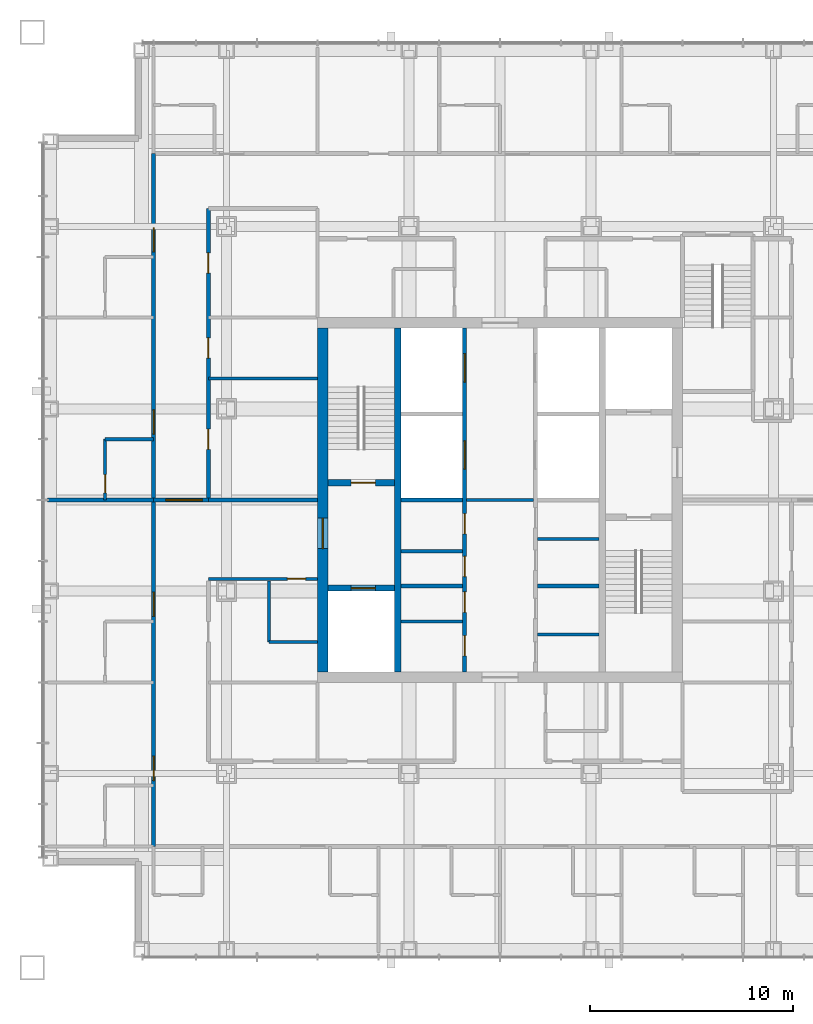
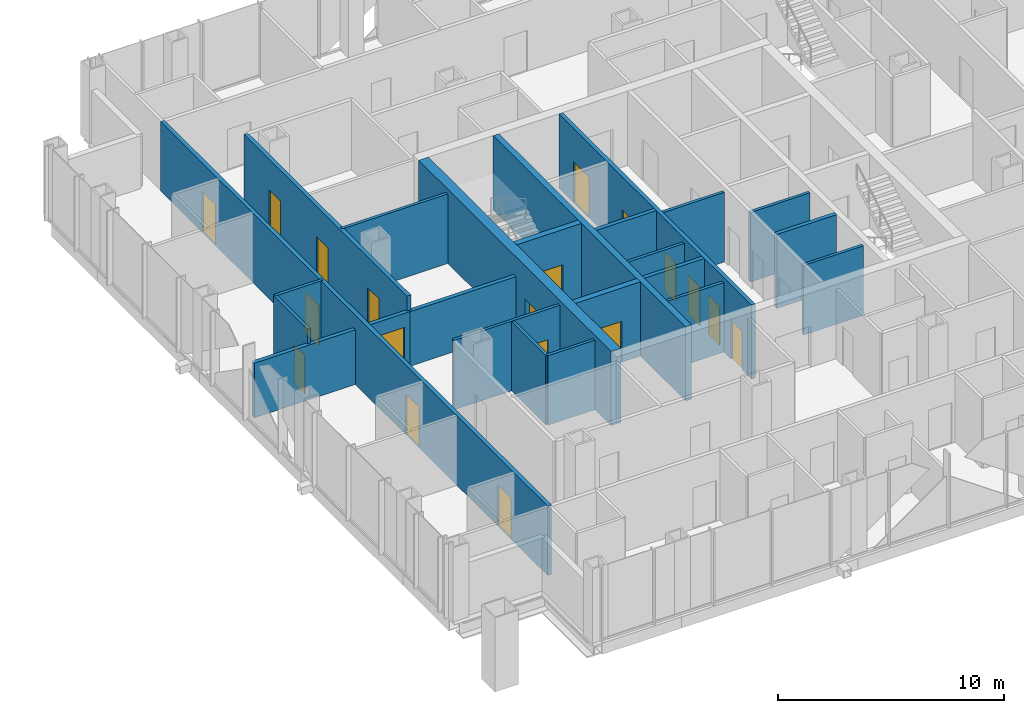
# One storey, part 13 of 17: 24 walls, 19 doors, 19 openings.
"""IFC4 building model written with IfcOpenShell, lengths in metres."""

from ifc_helpers import new_model, si_unit, direction, frame, frame_2d, origin, place, context, subcontext, project, spatial, rectangle, extrude, material, layer, layer_set, type_object, element, fill, save


model = new_model("IFC4")

# Units and contexts
model_context = context("Model", 3, precision=1e-05, world=origin(), true_north=direction((0.0, 1.0)))
body_context = subcontext(model_context, "Body", "Model", "MODEL_VIEW")
ifc_project = project(units=[si_unit("LENGTHUNIT", "METRE"), si_unit("AREAUNIT", "SQUARE_METRE"), si_unit("VOLUMEUNIT", "CUBIC_METRE"), si_unit("PLANEANGLEUNIT", "RADIAN"), si_unit("MASSUNIT", "GRAM", prefix="KILO")], contexts=[model_context])

# Site, building, storey
site_placement = place(None, origin())
site = spatial("IfcSite", under=ifc_project, at=site_placement, CompositionType="ELEMENT")
building_placement = place(site_placement, origin())
building = spatial("IfcBuilding", under=site, at=building_placement, Name="Malebo Sky Hospital", CompositionType="ELEMENT")
storey_placement = place(building_placement, frame((0.0, 0.0, 189.0)))
storey = spatial("IfcBuildingStorey", under=building, at=storey_placement, Name="L45", CompositionType="ELEMENT", Elevation=189.0)

# Wall, openings, doors
ifc_material_1 = material(Name="Concrete C80/95", Category="concrete")
ifc_layer_1 = layer(ifc_material_1, 0.199951171875)
ifc_layer_set_1 = layer_set([ifc_layer_1], Name="CORE INNER WALL 200")
wall_type_1 = type_object("IfcWallType", Name="CORE INNER WALL 200", PredefinedType="SHEAR", material=ifc_layer_set_1)
wall_1_placement = place(storey_placement, frame((58.25, 53.5, 0.0), z_axis=(0.0, 0.0, 1.0), x_axis=(0.0, 1.0, 0.0)))
wall_1 = element("IfcWall", 1, at=wall_1_placement, inside=storey, type_object=wall_type_1, Name="Core wall LW L45", PredefinedType="SHEAR", context=body_context, shape_type="SweptSolid", body=[
    extrude(rectangle(XDim=17.0, YDim=0.199951171875, at=frame_2d((8.5, 0.0))), origin(), (0.0, 0.0, 1.0), 4.0),
])
opening_1_placement = place(wall_1_placement, frame((0.8076171875, 0.0, 0.0)))
opening_1 = element("IfcOpeningElement", 2, at=opening_1_placement, cuts=wall_1, Name="Opening D17", PredefinedType="OPENING", context=body_context, shape_type="SweptSolid", body=[
    extrude(rectangle(XDim=1.0, YDim=2.10009765625, at=frame_2d((0.5, 1.050048828125))), frame((0.0, 0.10986328125, 0.0), z_axis=(0.0, -1.0, 0.0), x_axis=(1.0, 0.0, 0.0)), (0.0, 0.0, 1.0), 0.219970703125),
])
opening_2_placement = place(wall_1_placement, frame((2.95751953125, 0.0, 0.0)))
opening_2 = element("IfcOpeningElement", 3, at=opening_2_placement, cuts=wall_1, Name="Opening D17", PredefinedType="OPENING", context=body_context, shape_type="SweptSolid", body=[
    extrude(rectangle(XDim=1.0, YDim=2.10009765625, at=frame_2d((0.5, 1.050048828125))), frame((0.0, 0.10986328125, 0.0), z_axis=(0.0, -1.0, 0.0), x_axis=(1.0, 0.0, 0.0)), (0.0, 0.0, 1.0), 0.219970703125),
])
opening_3_placement = place(wall_1_placement, frame((4.722412109375, 0.0, 0.0)))
opening_3 = element("IfcOpeningElement", 4, at=opening_3_placement, cuts=wall_1, Name="Opening D17", PredefinedType="OPENING", context=body_context, shape_type="SweptSolid", body=[
    extrude(rectangle(XDim=1.0, YDim=2.10009765625, at=frame_2d((0.5, 1.050048828125))), frame((0.0, 0.10986328125, 0.0), z_axis=(0.0, -1.0, 0.0), x_axis=(1.0, 0.0, 0.0)), (0.0, 0.0, 1.0), 0.219970703125),
])
opening_4_placement = place(wall_1_placement, frame((6.822509765625, 0.0, 0.0)))
opening_4 = element("IfcOpeningElement", 5, at=opening_4_placement, cuts=wall_1, Name="Opening D17", PredefinedType="OPENING", context=body_context, shape_type="SweptSolid", body=[
    extrude(rectangle(XDim=1.0, YDim=2.10009765625, at=frame_2d((0.5, 1.050048828125))), frame((0.0, 0.10986328125, 0.0), z_axis=(0.0, -1.0, 0.0), x_axis=(1.0, 0.0, 0.0)), (0.0, 0.0, 1.0), 0.219970703125),
])
opening_5_placement = place(wall_1_placement, frame((10.02490234375, 0.0, 0.0)))
opening_5 = element("IfcOpeningElement", 6, at=opening_5_placement, cuts=wall_1, Name="Opening LD1", PredefinedType="OPENING", context=body_context, shape_type="SweptSolid", body=[
    extrude(rectangle(XDim=1.39990234375, YDim=2.199951171875, at=frame_2d((0.699951171875, 1.10009765625))), frame((0.0, 0.10986328125, 0.0), z_axis=(0.0, -1.0, 0.0), x_axis=(1.0, 0.0, 0.0)), (0.0, 0.0, 1.0), 0.219970703125),
])
opening_6_placement = place(wall_1_placement, frame((14.324951171875, 0.0, 0.0)))
opening_6 = element("IfcOpeningElement", 7, at=opening_6_placement, cuts=wall_1, Name="Opening LD1", PredefinedType="OPENING", context=body_context, shape_type="SweptSolid", body=[
    extrude(rectangle(XDim=1.39990234375, YDim=2.199951171875, at=frame_2d((0.699951171875, 1.10009765625))), frame((0.0, 0.10986328125, 0.0), z_axis=(0.0, -1.0, 0.0), x_axis=(1.0, 0.0, 0.0)), (0.0, 0.0, 1.0), 0.219970703125),
])
ifc_material_2 = material(Name="Hardwood-faced door leaf in steel frame", Category="steel")
door_type_1 = type_object("IfcDoorType", Name="FIRE DOOR 1000", OperationType="SINGLE_SWING_LEFT", PredefinedType="DOOR", material=ifc_material_2)
door_1_placement = place(opening_1_placement, origin())
door_1 = element("IfcDoor", 8, at=door_1_placement, inside=storey, type_object=door_type_1, Name="Mattress store door", OperationType="SINGLE_SWING_RIGHT", OverallHeight=2.10009765625, OverallWidth=1.0, PredefinedType="DOOR", context=body_context, shape_type="SweptSolid", body=[
    extrude(rectangle(XDim=1.0, YDim=2.10009765625, at=frame_2d((0.5, 1.050048828125))), frame((0.0, 0.02490234375, 0.0), z_axis=(0.0, -1.0, 0.0), x_axis=(1.0, 0.0, 0.0)), (0.0, 0.0, 1.0), 0.050048828125),
])
fill(opening_1, door_1)
door_2_placement = place(opening_2_placement, origin())
door_2 = element("IfcDoor", 9, at=door_2_placement, inside=storey, type_object=door_type_1, Name="Cleaning equipment store door", OperationType="SINGLE_SWING_RIGHT", OverallHeight=2.10009765625, OverallWidth=1.0, PredefinedType="DOOR", context=body_context, shape_type="SweptSolid", body=[
    extrude(rectangle(XDim=1.0, YDim=2.10009765625, at=frame_2d((0.5, 1.050048828125))), frame((0.0, 0.02490234375, 0.0), z_axis=(0.0, -1.0, 0.0), x_axis=(1.0, 0.0, 0.0)), (0.0, 0.0, 1.0), 0.050048828125),
])
fill(opening_2, door_2)
door_3_placement = place(opening_3_placement, origin())
door_3 = element("IfcDoor", 10, at=door_3_placement, inside=storey, type_object=door_type_1, Name="Archive store door", OperationType="SINGLE_SWING_RIGHT", OverallHeight=2.10009765625, OverallWidth=1.0, PredefinedType="DOOR", context=body_context, shape_type="SweptSolid", body=[
    extrude(rectangle(XDim=1.0, YDim=2.10009765625, at=frame_2d((0.5, 1.050048828125))), frame((0.0, 0.02490234375, 0.0), z_axis=(0.0, -1.0, 0.0), x_axis=(1.0, 0.0, 0.0)), (0.0, 0.0, 1.0), 0.050048828125),
])
fill(opening_3, door_3)
door_4_placement = place(opening_4_placement, origin())
door_4 = element("IfcDoor", 11, at=door_4_placement, inside=storey, type_object=door_type_1, Name="General store door", OperationType="SINGLE_SWING_RIGHT", OverallHeight=2.10009765625, OverallWidth=1.0, PredefinedType="DOOR", context=body_context, shape_type="SweptSolid", body=[
    extrude(rectangle(XDim=1.0, YDim=2.10009765625, at=frame_2d((0.5, 1.050048828125))), frame((0.0, 0.02490234375, 0.0), z_axis=(0.0, -1.0, 0.0), x_axis=(1.0, 0.0, 0.0)), (0.0, 0.0, 1.0), 0.050048828125),
])
fill(opening_4, door_4)
ifc_material_3 = material(Name="Stainless steel sliding landing door", Category="steel")
door_type_2 = type_object("IfcDoorType", Name="LIFT LANDING DOOR 1400", OperationType="SLIDING_TO_LEFT", PredefinedType="DOOR", material=ifc_material_3)
door_5_placement = place(opening_5_placement, origin())
door_5 = element("IfcDoor", 12, at=door_5_placement, inside=storey, type_object=door_type_2, Name="Lift W3 landing door", OperationType="SLIDING_TO_LEFT", OverallHeight=2.199951171875, OverallWidth=1.39990234375, PredefinedType="DOOR", context=body_context, shape_type="SweptSolid", body=[
    extrude(rectangle(XDim=1.39990234375, YDim=2.199951171875, at=frame_2d((0.699951171875, 1.10009765625))), frame((0.0, 0.02490234375, 0.0), z_axis=(0.0, -1.0, 0.0), x_axis=(1.0, 0.0, 0.0)), (0.0, 0.0, 1.0), 0.050048828125),
])
fill(opening_5, door_5)
door_6_placement = place(opening_6_placement, origin())
door_6 = element("IfcDoor", 13, at=door_6_placement, inside=storey, type_object=door_type_2, Name="Lift W4 landing door", OperationType="SLIDING_TO_LEFT", OverallHeight=2.199951171875, OverallWidth=1.39990234375, PredefinedType="DOOR", context=body_context, shape_type="SweptSolid", body=[
    extrude(rectangle(XDim=1.39990234375, YDim=2.199951171875, at=frame_2d((0.699951171875, 1.10009765625))), frame((0.0, 0.02490234375, 0.0), z_axis=(0.0, -1.0, 0.0), x_axis=(1.0, 0.0, 0.0)), (0.0, 0.0, 1.0), 0.050048828125),
])
fill(opening_6, door_6)

# Walls
for number, where, z_axis, x_axis, name in (
    (14, (55.10009765625, 57.75, 0.0), (0.0, 0.0, 1.0), (1.0, 0.0, 0.0), "Core wall SW0 L45"),
    (15, (61.85009765625, 57.75, 0.0), (0.0, 0.0, 1.0), (1.0, 0.0, 0.0), "Core wall SE0 L45"),
    (16, (55.10009765625, 62.0, 0.0), (0.0, 0.0, 1.0), (1.0, 0.0, 0.0), "Core wall SW1 L45"),
):
    element("IfcWall", number, at=place(storey_placement, frame(where, z_axis=z_axis, x_axis=x_axis)), inside=storey, type_object=wall_type_1, Name=name, PredefinedType="SHEAR", context=body_context, shape_type="SweptSolid", body=[
        extrude(rectangle(XDim=3.0498046875, YDim=0.199951171875, at=frame_2d((1.52490234375, 0.0))), origin(), (0.0, 0.0, 1.0), 4.0),
    ])
ifc_layer_2 = layer(ifc_material_1, 0.300048828125)
ifc_layer_set_2 = layer_set([ifc_layer_2], Name="CORE INNER WALL 300")
wall_type_2 = type_object("IfcWallType", Name="CORE INNER WALL 300", PredefinedType="SHEAR", material=ifc_layer_set_2)
wall_2_placement = place(storey_placement, frame((54.949951171875, 53.5, 0.0), z_axis=(0.0, 0.0, 1.0), x_axis=(0.0, 1.0, 0.0)))
element("IfcWall", 17, at=wall_2_placement, inside=storey, type_object=wall_type_2, Name="Core wall XW L45", PredefinedType="SHEAR", context=body_context, shape_type="SweptSolid", body=[
    extrude(rectangle(XDim=17.0, YDim=0.300048828125, at=frame_2d((8.5, 0.0))), origin(), (0.0, 0.0, 1.0), 4.0),
])

# Wall, opening, door
wall_3_placement = place(storey_placement, frame((51.5, 62.85009765625, 0.0), z_axis=(0.0, 0.0, 1.0), x_axis=(1.0, 0.0, 0.0)))
wall_3 = element("IfcWall", 18, at=wall_3_placement, inside=storey, type_object=wall_type_2, Name="Core wall W1 L45", PredefinedType="SHEAR", context=body_context, shape_type="SweptSolid", body=[
    extrude(rectangle(XDim=3.300048828125, YDim=0.300048828125, at=frame_2d((1.64990234375, 0.0))), origin(), (0.0, 0.0, 1.0), 4.0),
])
opening_7_placement = place(wall_3_placement, frame((1.14990234375, 0.0, 0.0)))
opening_7 = element("IfcOpeningElement", 19, at=opening_7_placement, cuts=wall_3, Name="Opening D08", PredefinedType="OPENING", context=body_context, shape_type="SweptSolid", body=[
    extrude(rectangle(XDim=1.199951171875, YDim=2.10009765625, at=frame_2d((0.60009765625, 1.050048828125))), frame((0.0, 0.159912109375, 0.0), z_axis=(0.0, -1.0, 0.0), x_axis=(1.0, 0.0, 0.0)), (0.0, 0.0, 1.0), 0.320068359375),
])
door_type_3 = type_object("IfcDoorType", Name="STAIR DOOR 1200", OperationType="SINGLE_SWING_LEFT", PredefinedType="DOOR", material=ifc_material_2)
door_7_placement = place(opening_7_placement, origin())
door_7 = element("IfcDoor", 20, at=door_7_placement, inside=storey, type_object=door_type_3, Name="Stair S1 door", OperationType="SINGLE_SWING_RIGHT", OverallHeight=2.10009765625, OverallWidth=1.199951171875, PredefinedType="DOOR", context=body_context, shape_type="SweptSolid", body=[
    extrude(rectangle(XDim=1.199951171875, YDim=2.10009765625, at=frame_2d((0.60009765625, 1.050048828125))), frame((0.0, 0.02490234375, 0.0), z_axis=(0.0, -1.0, 0.0), x_axis=(1.0, 0.0, 0.0)), (0.0, 0.0, 1.0), 0.050048828125),
])
fill(opening_7, door_7)

wall_4_placement = place(storey_placement, frame((51.5, 57.64990234375, 0.0), z_axis=(0.0, 0.0, 1.0), x_axis=(1.0, 0.0, 0.0)))
wall_4 = element("IfcWall", 21, at=wall_4_placement, inside=storey, type_object=wall_type_2, Name="Core wall W2 L45", PredefinedType="SHEAR", context=body_context, shape_type="SweptSolid", body=[
    extrude(rectangle(XDim=3.300048828125, YDim=0.300048828125, at=frame_2d((1.64990234375, 0.0))), origin(), (0.0, 0.0, 1.0), 4.0),
])
opening_8_placement = place(wall_4_placement, frame((1.14990234375, 0.0, 0.0)))
opening_8 = element("IfcOpeningElement", 22, at=opening_8_placement, cuts=wall_4, Name="Opening LD2", PredefinedType="OPENING", context=body_context, shape_type="SweptSolid", body=[
    extrude(rectangle(XDim=1.199951171875, YDim=2.199951171875, at=frame_2d((0.60009765625, 1.10009765625))), frame((0.0, 0.159912109375, 0.0), z_axis=(0.0, -1.0, 0.0), x_axis=(1.0, 0.0, 0.0)), (0.0, 0.0, 1.0), 0.320068359375),
])
door_type_4 = type_object("IfcDoorType", Name="FIRE-FIGHTING LIFT LANDING DOOR 1200", OperationType="SLIDING_TO_LEFT", PredefinedType="DOOR", material=ifc_material_3)
door_8_placement = place(opening_8_placement, origin())
door_8 = element("IfcDoor", 23, at=door_8_placement, inside=storey, type_object=door_type_4, Name="Lift FL1 landing door", OperationType="SLIDING_TO_LEFT", OverallHeight=2.199951171875, OverallWidth=1.199951171875, PredefinedType="DOOR", context=body_context, shape_type="SweptSolid", body=[
    extrude(rectangle(XDim=1.199951171875, YDim=2.199951171875, at=frame_2d((0.60009765625, 1.10009765625))), frame((0.0, 0.02490234375, 0.0), z_axis=(0.0, -1.0, 0.0), x_axis=(1.0, 0.0, 0.0)), (0.0, 0.0, 1.0), 0.050048828125),
])
fill(opening_8, door_8)

ifc_layer_3 = layer(ifc_material_1, 0.5)
ifc_layer_set_3 = layer_set([ifc_layer_3], Name="CORE WALL 500")
wall_type_3 = type_object("IfcWallType", Name="CORE WALL 500", PredefinedType="SHEAR", material=ifc_layer_set_3)
wall_5_placement = place(storey_placement, frame((51.25, 53.5, 0.0), z_axis=(0.0, 0.0, 1.0), x_axis=(0.0, 1.0, 0.0)))
wall_5 = element("IfcWall", 24, at=wall_5_placement, inside=storey, type_object=wall_type_3, Name="Core wall W L45", PredefinedType="SHEAR", context=body_context, shape_type="SweptSolid", body=[
    extrude(rectangle(XDim=17.0, YDim=0.5, at=frame_2d((8.5, 0.0))), origin(), (0.0, 0.0, 1.0), 4.0),
])
opening_9_placement = place(wall_5_placement, frame((6.10009765625, 0.0, 0.0)))
opening_9 = element("IfcOpeningElement", 25, at=opening_9_placement, cuts=wall_5, Name="Opening D07", PredefinedType="OPENING", context=body_context, shape_type="SweptSolid", body=[
    extrude(rectangle(XDim=1.5, YDim=2.199951171875, at=frame_2d((0.75, 1.10009765625))), frame((0.0, 0.260009765625, 0.0), z_axis=(0.0, -1.0, 0.0), x_axis=(1.0, 0.0, 0.0)), (0.0, 0.0, 1.0), 0.52001953125),
])
door_type_5 = type_object("IfcDoorType", Name="FIRE-FIGHTING LOBBY DOOR PAIR 1500", OperationType="DOUBLE_DOOR_SINGLE_SWING", PredefinedType="DOOR", material=ifc_material_2)
door_9_placement = place(opening_9_placement, origin())
door_9 = element("IfcDoor", 26, at=door_9_placement, inside=storey, type_object=door_type_5, Name="Fire-fighting lobby door west", OperationType="DOUBLE_DOOR_SINGLE_SWING", OverallHeight=2.199951171875, OverallWidth=1.5, PredefinedType="DOOR", context=body_context, shape_type="SweptSolid", body=[
    extrude(rectangle(XDim=1.5, YDim=2.199951171875, at=frame_2d((0.75, 1.10009765625))), frame((0.0, 0.02490234375, 0.0), z_axis=(0.0, -1.0, 0.0), x_axis=(1.0, 0.0, 0.0)), (0.0, 0.0, 1.0), 0.050048828125),
])
fill(opening_9, door_9)

# Wall, openings, doors
ifc_material_4 = material(Name="Gypsum board on steel studs", Category="steel")
ifc_layer_4 = layer(ifc_material_4, 0.199951171875)
ifc_layer_set_4 = layer_set([ifc_layer_4], Name="CORRIDOR WALL 200")
wall_type_4 = type_object("IfcWallType", Name="CORRIDOR WALL 200", PredefinedType="PARTITIONING", material=ifc_layer_set_4)
wall_6_placement = place(storey_placement, frame((42.89990234375, 44.89990234375, 0.0), z_axis=(0.0, 0.0, 1.0), x_axis=(0.0, 1.0, 0.0)))
wall_6 = element("IfcWall", 27, at=wall_6_placement, inside=storey, type_object=wall_type_4, Name="Corridor Wall 200 WCO", PredefinedType="PARTITIONING", context=body_context, shape_type="SweptSolid", body=[
    extrude(rectangle(XDim=34.2001953125, YDim=0.199951171875, at=frame_2d((17.10009765625, 0.0))), origin(), (0.0, 0.0, 1.0), 3.75),
])
opening_10_placement = place(wall_6_placement, frame((3.25, 0.0, 0.0)))
opening_10 = element("IfcOpeningElement", 28, at=opening_10_placement, cuts=wall_6, Name="Opening D01", PredefinedType="OPENING", context=body_context, shape_type="SweptSolid", body=[
    extrude(rectangle(XDim=1.199951171875, YDim=2.199951171875, at=frame_2d((0.60009765625, 1.10009765625))), frame((0.0, 0.10986328125, 0.0), z_axis=(0.0, -1.0, 0.0), x_axis=(1.0, 0.0, 0.0)), (0.0, 0.0, 1.0), 0.219970703125),
])
opening_11_placement = place(wall_6_placement, frame((11.35009765625, 0.0, 0.0)))
opening_11 = element("IfcOpeningElement", 29, at=opening_11_placement, cuts=wall_6, Name="Opening D01", PredefinedType="OPENING", context=body_context, shape_type="SweptSolid", body=[
    extrude(rectangle(XDim=1.199951171875, YDim=2.199951171875, at=frame_2d((0.60009765625, 1.10009765625))), frame((0.0, 0.10986328125, 0.0), z_axis=(0.0, -1.0, 0.0), x_axis=(1.0, 0.0, 0.0)), (0.0, 0.0, 1.0), 0.219970703125),
])
opening_12_placement = place(wall_6_placement, frame((20.35009765625, 0.0, 0.0)))
opening_12 = element("IfcOpeningElement", 30, at=opening_12_placement, cuts=wall_6, Name="Opening D01", PredefinedType="OPENING", context=body_context, shape_type="SweptSolid", body=[
    extrude(rectangle(XDim=1.199951171875, YDim=2.199951171875, at=frame_2d((0.60009765625, 1.10009765625))), frame((0.0, 0.10986328125, 0.0), z_axis=(0.0, -1.0, 0.0), x_axis=(1.0, 0.0, 0.0)), (0.0, 0.0, 1.0), 0.219970703125),
])
opening_13_placement = place(wall_6_placement, frame((29.35009765625, 0.0, 0.0)))
opening_13 = element("IfcOpeningElement", 31, at=opening_13_placement, cuts=wall_6, Name="Opening D01", PredefinedType="OPENING", context=body_context, shape_type="SweptSolid", body=[
    extrude(rectangle(XDim=1.199951171875, YDim=2.199951171875, at=frame_2d((0.60009765625, 1.10009765625))), frame((0.0, 0.10986328125, 0.0), z_axis=(0.0, -1.0, 0.0), x_axis=(1.0, 0.0, 0.0)), (0.0, 0.0, 1.0), 0.219970703125),
])
door_type_6 = type_object("IfcDoorType", Name="BED DOOR 1200", OperationType="SINGLE_SWING_LEFT", PredefinedType="DOOR", material=ifc_material_2)
door_10_placement = place(opening_10_placement, origin())
door_10 = element("IfcDoor", 32, at=door_10_placement, inside=storey, type_object=door_type_6, Name="Two-bed room door", OperationType="SINGLE_SWING_LEFT", OverallHeight=2.199951171875, OverallWidth=1.199951171875, PredefinedType="DOOR", context=body_context, shape_type="SweptSolid", body=[
    extrude(rectangle(XDim=1.199951171875, YDim=2.199951171875, at=frame_2d((0.60009765625, 1.10009765625))), frame((0.0, 0.02490234375, 0.0), z_axis=(0.0, -1.0, 0.0), x_axis=(1.0, 0.0, 0.0)), (0.0, 0.0, 1.0), 0.050048828125),
])
fill(opening_10, door_10)
door_11_placement = place(opening_11_placement, origin())
door_11 = element("IfcDoor", 33, at=door_11_placement, inside=storey, type_object=door_type_6, Name="Two-bed room door", OperationType="SINGLE_SWING_LEFT", OverallHeight=2.199951171875, OverallWidth=1.199951171875, PredefinedType="DOOR", context=body_context, shape_type="SweptSolid", body=[
    extrude(rectangle(XDim=1.199951171875, YDim=2.199951171875, at=frame_2d((0.60009765625, 1.10009765625))), frame((0.0, 0.02490234375, 0.0), z_axis=(0.0, -1.0, 0.0), x_axis=(1.0, 0.0, 0.0)), (0.0, 0.0, 1.0), 0.050048828125),
])
fill(opening_11, door_11)
door_12_placement = place(opening_12_placement, origin())
door_12 = element("IfcDoor", 34, at=door_12_placement, inside=storey, type_object=door_type_6, Name="Two-bed room door", OperationType="SINGLE_SWING_LEFT", OverallHeight=2.199951171875, OverallWidth=1.199951171875, PredefinedType="DOOR", context=body_context, shape_type="SweptSolid", body=[
    extrude(rectangle(XDim=1.199951171875, YDim=2.199951171875, at=frame_2d((0.60009765625, 1.10009765625))), frame((0.0, 0.02490234375, 0.0), z_axis=(0.0, -1.0, 0.0), x_axis=(1.0, 0.0, 0.0)), (0.0, 0.0, 1.0), 0.050048828125),
])
fill(opening_12, door_12)
door_13_placement = place(opening_13_placement, origin())
door_13 = element("IfcDoor", 35, at=door_13_placement, inside=storey, type_object=door_type_6, Name="Two-bed room door", OperationType="SINGLE_SWING_LEFT", OverallHeight=2.199951171875, OverallWidth=1.199951171875, PredefinedType="DOOR", context=body_context, shape_type="SweptSolid", body=[
    extrude(rectangle(XDim=1.199951171875, YDim=2.199951171875, at=frame_2d((0.60009765625, 1.10009765625))), frame((0.0, 0.02490234375, 0.0), z_axis=(0.0, -1.0, 0.0), x_axis=(1.0, 0.0, 0.0)), (0.0, 0.0, 1.0), 0.050048828125),
])
fill(opening_13, door_13)

wall_7_placement = place(storey_placement, frame((45.60009765625, 62.0, 0.0), z_axis=(0.0, 0.0, 1.0), x_axis=(0.0, 1.0, 0.0)))
wall_7 = element("IfcWall", 36, at=wall_7_placement, inside=storey, type_object=wall_type_4, Name="Corridor Wall 200 WCI2", PredefinedType="PARTITIONING", context=body_context, shape_type="SweptSolid", body=[
    extrude(rectangle(XDim=14.39990234375, YDim=0.199951171875, at=frame_2d((7.199951171875, 0.0))), origin(), (0.0, 0.0, 1.0), 3.75),
])
opening_14_placement = place(wall_7_placement, frame((2.5, 0.0, 0.0)))
opening_14 = element("IfcOpeningElement", 37, at=opening_14_placement, cuts=wall_7, Name="Opening D03", PredefinedType="OPENING", context=body_context, shape_type="SweptSolid", body=[
    extrude(rectangle(XDim=1.0, YDim=2.10009765625, at=frame_2d((0.5, 1.050048828125))), frame((0.0, 0.10986328125, 0.0), z_axis=(0.0, -1.0, 0.0), x_axis=(1.0, 0.0, 0.0)), (0.0, 0.0, 1.0), 0.219970703125),
])
opening_15_placement = place(wall_7_placement, frame((7.0, 0.0, 0.0)))
opening_15 = element("IfcOpeningElement", 38, at=opening_15_placement, cuts=wall_7, Name="Opening D03", PredefinedType="OPENING", context=body_context, shape_type="SweptSolid", body=[
    extrude(rectangle(XDim=1.0, YDim=2.10009765625, at=frame_2d((0.5, 1.050048828125))), frame((0.0, 0.10986328125, 0.0), z_axis=(0.0, -1.0, 0.0), x_axis=(1.0, 0.0, 0.0)), (0.0, 0.0, 1.0), 0.219970703125),
])
opening_16_placement = place(wall_7_placement, frame((11.199951171875, 0.0, 0.0)))
opening_16 = element("IfcOpeningElement", 39, at=opening_16_placement, cuts=wall_7, Name="Opening D03", PredefinedType="OPENING", context=body_context, shape_type="SweptSolid", body=[
    extrude(rectangle(XDim=1.0, YDim=2.10009765625, at=frame_2d((0.5, 1.050048828125))), frame((0.0, 0.10986328125, 0.0), z_axis=(0.0, -1.0, 0.0), x_axis=(1.0, 0.0, 0.0)), (0.0, 0.0, 1.0), 0.219970703125),
])
door_type_7 = type_object("IfcDoorType", Name="ROOM DOOR 1000", OperationType="SINGLE_SWING_LEFT", PredefinedType="DOOR", material=ifc_material_2)
door_14_placement = place(opening_14_placement, origin())
door_14 = element("IfcDoor", 40, at=door_14_placement, inside=storey, type_object=door_type_7, Name="Staff rest room door", OperationType="SINGLE_SWING_LEFT", OverallHeight=2.10009765625, OverallWidth=1.0, PredefinedType="DOOR", context=body_context, shape_type="SweptSolid", body=[
    extrude(rectangle(XDim=1.0, YDim=2.10009765625, at=frame_2d((0.5, 1.050048828125))), frame((0.0, 0.02490234375, 0.0), z_axis=(0.0, -1.0, 0.0), x_axis=(1.0, 0.0, 0.0)), (0.0, 0.0, 1.0), 0.050048828125),
])
fill(opening_14, door_14)
door_15_placement = place(opening_15_placement, origin())
door_15 = element("IfcDoor", 41, at=door_15_placement, inside=storey, type_object=door_type_7, Name="Ward office door", OperationType="SINGLE_SWING_LEFT", OverallHeight=2.10009765625, OverallWidth=1.0, PredefinedType="DOOR", context=body_context, shape_type="SweptSolid", body=[
    extrude(rectangle(XDim=1.0, YDim=2.10009765625, at=frame_2d((0.5, 1.050048828125))), frame((0.0, 0.02490234375, 0.0), z_axis=(0.0, -1.0, 0.0), x_axis=(1.0, 0.0, 0.0)), (0.0, 0.0, 1.0), 0.050048828125),
])
fill(opening_15, door_15)
door_16_placement = place(opening_16_placement, origin())
door_16 = element("IfcDoor", 42, at=door_16_placement, inside=storey, type_object=door_type_7, Name="Staff base door", OperationType="SINGLE_SWING_RIGHT", OverallHeight=2.10009765625, OverallWidth=1.0, PredefinedType="DOOR", context=body_context, shape_type="SweptSolid", body=[
    extrude(rectangle(XDim=1.0, YDim=2.10009765625, at=frame_2d((0.5, 1.050048828125))), frame((0.0, 0.02490234375, 0.0), z_axis=(0.0, -1.0, 0.0), x_axis=(1.0, 0.0, 0.0)), (0.0, 0.0, 1.0), 0.050048828125),
])
fill(opening_16, door_16)

# Wall, opening, door
ifc_layer_5 = layer(ifc_material_4, 0.14990234375)
ifc_layer_set_5 = layer_set([ifc_layer_5], Name="PARTITION 150")
wall_type_5 = type_object("IfcWallType", Name="PARTITION 150", PredefinedType="PARTITIONING", material=ifc_layer_set_5)
wall_8_placement = place(storey_placement, frame((40.5, 62.0, 0.0), z_axis=(0.0, 0.0, 1.0), x_axis=(0.0, 1.0, 0.0)))
wall_8 = element("IfcWall", 43, at=wall_8_placement, inside=storey, type_object=wall_type_5, Name="Partition 150 WE2F", PredefinedType="PARTITIONING", context=body_context, shape_type="SweptSolid", body=[
    extrude(rectangle(XDim=3.0, YDim=0.14990234375, at=frame_2d((1.5, 0.0))), origin(), (0.0, 0.0, 1.0), 3.75),
])
opening_17_placement = place(wall_8_placement, frame((0.35009765625, 0.0, 0.0)))
opening_17 = element("IfcOpeningElement", 44, at=opening_17_placement, cuts=wall_8, Name="Opening D02", PredefinedType="OPENING", context=body_context, shape_type="SweptSolid", body=[
    extrude(rectangle(XDim=0.89990234375, YDim=2.10009765625, at=frame_2d((0.449951171875, 1.050048828125))), frame((0.0, 0.0849609375, 0.0), z_axis=(0.0, -1.0, 0.0), x_axis=(1.0, 0.0, 0.0)), (0.0, 0.0, 1.0), 0.169921875),
])
door_type_8 = type_object("IfcDoorType", Name="EN-SUITE DOOR 900", OperationType="SINGLE_SWING_LEFT", PredefinedType="DOOR", material=ifc_material_2)
door_17_placement = place(opening_17_placement, origin())
door_17 = element("IfcDoor", 45, at=door_17_placement, inside=storey, type_object=door_type_8, Name="En-suite door", OperationType="SINGLE_SWING_LEFT", OverallHeight=2.10009765625, OverallWidth=0.89990234375, PredefinedType="DOOR", context=body_context, shape_type="SweptSolid", body=[
    extrude(rectangle(XDim=0.89990234375, YDim=2.10009765625, at=frame_2d((0.449951171875, 1.050048828125))), frame((0.0, 0.02490234375, 0.0), z_axis=(0.0, -1.0, 0.0), x_axis=(1.0, 0.0, 0.0)), (0.0, 0.0, 1.0), 0.050048828125),
])
fill(opening_17, door_17)

# Wall
wall_9_placement = place(storey_placement, frame((42.89990234375, 65.0, 0.0), z_axis=(0.0, 0.0, 1.0), x_axis=(-1.0, 0.0, 0.0)))
element("IfcWall", 46, at=wall_9_placement, inside=storey, type_object=wall_type_5, Name="Partition 150 WE2S", PredefinedType="PARTITIONING", context=body_context, shape_type="SweptSolid", body=[
    extrude(rectangle(XDim=2.39990234375, YDim=0.14990234375, at=frame_2d((1.199951171875, 0.0))), origin(), (0.0, 0.0, 1.0), 3.75),
])

# Wall, opening, door
wall_10_placement = place(storey_placement, frame((51.0, 58.10009765625, 0.0), z_axis=(0.0, 0.0, 1.0), x_axis=(-1.0, 0.0, 0.0)))
wall_10 = element("IfcWall", 47, at=wall_10_placement, inside=storey, type_object=wall_type_5, Name="Partition 150 WSPA", PredefinedType="PARTITIONING", context=body_context, shape_type="SweptSolid", body=[
    extrude(rectangle(XDim=5.39990234375, YDim=0.14990234375, at=frame_2d((2.699951171875, 0.0))), origin(), (0.0, 0.0, 1.0), 3.75),
])
opening_18_placement = place(wall_10_placement, frame((0.60009765625, 0.0, 0.0)))
opening_18 = element("IfcOpeningElement", 48, at=opening_18_placement, cuts=wall_10, Name="Opening D04", PredefinedType="OPENING", context=body_context, shape_type="SweptSolid", body=[
    extrude(rectangle(XDim=0.89990234375, YDim=2.10009765625, at=frame_2d((0.449951171875, 1.050048828125))), frame((0.0, 0.0849609375, 0.0), z_axis=(0.0, -1.0, 0.0), x_axis=(1.0, 0.0, 0.0)), (0.0, 0.0, 1.0), 0.169921875),
])
door_type_9 = type_object("IfcDoorType", Name="ROOM DOOR 900", OperationType="SINGLE_SWING_LEFT", PredefinedType="DOOR", material=ifc_material_2)
door_18_placement = place(opening_18_placement, origin())
door_18 = element("IfcDoor", 49, at=door_18_placement, inside=storey, type_object=door_type_9, Name="Cleaner's room door", OperationType="SINGLE_SWING_LEFT", OverallHeight=2.10009765625, OverallWidth=0.89990234375, PredefinedType="DOOR", context=body_context, shape_type="SweptSolid", body=[
    extrude(rectangle(XDim=0.89990234375, YDim=2.10009765625, at=frame_2d((0.449951171875, 1.050048828125))), frame((0.0, 0.02490234375, 0.0), z_axis=(0.0, -1.0, 0.0), x_axis=(1.0, 0.0, 0.0)), (0.0, 0.0, 1.0), 0.050048828125),
])
fill(opening_18, door_18)

# Walls
wall_11_placement = place(storey_placement, frame((51.0, 68.0, 0.0), z_axis=(0.0, 0.0, 1.0), x_axis=(-1.0, 0.0, 0.0)))
element("IfcWall", 50, at=wall_11_placement, inside=storey, type_object=wall_type_5, Name="Partition 150 WSP+6.0", PredefinedType="PARTITIONING", context=body_context, shape_type="SweptSolid", body=[
    extrude(rectangle(XDim=5.39990234375, YDim=0.14990234375, at=frame_2d((2.699951171875, 0.0))), origin(), (0.0, 0.0, 1.0), 3.75),
])
wall_12_placement = place(storey_placement, frame((48.60009765625, 55.0, 0.0), z_axis=(0.0, 0.0, 1.0), x_axis=(0.0, 1.0, 0.0)))
element("IfcWall", 51, at=wall_12_placement, inside=storey, type_object=wall_type_5, Name="Partition 150 WSX0", PredefinedType="PARTITIONING", context=body_context, shape_type="SweptSolid", body=[
    extrude(rectangle(XDim=3.0, YDim=0.14990234375, at=frame_2d((1.5, 0.0))), origin(), (0.0, 0.0, 1.0), 3.75),
])
wall_13_placement = place(storey_placement, frame((51.0, 55.0, 0.0), z_axis=(0.0, 0.0, 1.0), x_axis=(-1.0, 0.0, 0.0)))
element("IfcWall", 52, at=wall_13_placement, inside=storey, type_object=wall_type_5, Name="Partition 150 WSY0", PredefinedType="PARTITIONING", context=body_context, shape_type="SweptSolid", body=[
    extrude(rectangle(XDim=2.39990234375, YDim=0.14990234375, at=frame_2d((1.199951171875, 0.0))), origin(), (0.0, 0.0, 1.0), 3.75),
])
for number, where, z_axis, x_axis, name in (
    (53, (55.10009765625, 55.989990234375, 0.0), (0.0, 0.0, 1.0), (1.0, 0.0, 0.0), "Partition 150 SHW1"),
    (54, (61.85009765625, 55.366943359375, 0.0), (0.0, 0.0, 1.0), (1.0, 0.0, 0.0), "Partition 150 SHE1"),
    (55, (55.10009765625, 59.469970703125, 0.0), (0.0, 0.0, 1.0), (1.0, 0.0, 0.0), "Partition 150 SHW2"),
    (56, (61.85009765625, 60.077880859375, 0.0), (0.0, 0.0, 1.0), (1.0, 0.0, 0.0), "Partition 150 SHE2"),
):
    element("IfcWall", number, at=place(storey_placement, frame(where, z_axis=z_axis, x_axis=x_axis)), inside=storey, type_object=wall_type_5, Name=name, PredefinedType="PARTITIONING", context=body_context, shape_type="SweptSolid", body=[
        extrude(rectangle(XDim=3.0498046875, YDim=0.14990234375, at=frame_2d((1.52490234375, 0.0))), origin(), (0.0, 0.0, 1.0), 3.75),
    ])
wall_14_placement = place(storey_placement, frame((58.35009765625, 62.0, 0.0), z_axis=(0.0, 0.0, 1.0), x_axis=(1.0, 0.0, 0.0)))
element("IfcWall", 57, at=wall_14_placement, inside=storey, type_object=wall_type_5, Name="Partition 150 LBS", PredefinedType="PARTITIONING", context=body_context, shape_type="SweptSolid", body=[
    extrude(rectangle(XDim=3.2998046875, YDim=0.14990234375, at=frame_2d((1.64990234375, 0.0))), origin(), (0.0, 0.0, 1.0), 3.75),
])
ifc_material_5 = material(Name="Concrete blockwork", Category="masonry")
ifc_layer_6 = layer(ifc_material_5, 0.199951171875)
ifc_layer_set_6 = layer_set([ifc_layer_6], Name="SMOKE BARRIER WALL 200")
wall_type_6 = type_object("IfcWallType", Name="SMOKE BARRIER WALL 200", PredefinedType="SOLIDWALL", material=ifc_layer_set_6)
wall_15_placement = place(storey_placement, frame((42.89990234375, 62.0, 0.0), z_axis=(0.0, 0.0, 1.0), x_axis=(-1.0, 0.0, 0.0)))
element("IfcWall", 58, at=wall_15_placement, inside=storey, type_object=wall_type_6, Name="Smoke Barrier Wall 200 WP+0.0", PredefinedType="SOLIDWALL", context=body_context, shape_type="SweptSolid", body=[
    extrude(rectangle(XDim=5.25, YDim=0.199951171875, at=frame_2d((2.625, 0.0))), origin(), (0.0, 0.0, 1.0), 2.949951171875),
])
wall_16_placement = place(storey_placement, frame((51.0, 62.0, 0.0), z_axis=(0.0, 0.0, 1.0), x_axis=(-1.0, 0.0, 0.0)))
element("IfcWall", 59, at=wall_16_placement, inside=storey, type_object=wall_type_6, Name="Smoke Barrier Wall 200 WSPB", PredefinedType="SOLIDWALL", context=body_context, shape_type="SweptSolid", body=[
    extrude(rectangle(XDim=5.39990234375, YDim=0.199951171875, at=frame_2d((2.699951171875, 0.0))), origin(), (0.0, 0.0, 1.0), 2.949951171875),
])

# Wall, opening, door
wall_17_placement = place(storey_placement, frame((45.60009765625, 62.0, 0.0), z_axis=(0.0, 0.0, 1.0), x_axis=(-1.0, 0.0, 0.0)))
wall_17 = element("IfcWall", 60, at=wall_17_placement, inside=storey, type_object=wall_type_6, Name="Smoke Barrier Wall 200 WSB", PredefinedType="SOLIDWALL", context=body_context, shape_type="SweptSolid", body=[
    extrude(rectangle(XDim=2.7001953125, YDim=0.199951171875, at=frame_2d((1.35009765625, 0.0))), origin(), (0.0, 0.0, 1.0), 2.949951171875),
])
opening_19_placement = place(wall_17_placement, frame((0.300048828125, 0.0, 0.0)))
opening_19 = element("IfcOpeningElement", 61, at=opening_19_placement, cuts=wall_17, Name="Opening D05", PredefinedType="OPENING", context=body_context, shape_type="SweptSolid", body=[
    extrude(rectangle(XDim=1.800048828125, YDim=2.199951171875, at=frame_2d((0.89990234375, 1.10009765625))), frame((0.0, 0.10986328125, 0.0), z_axis=(0.0, -1.0, 0.0), x_axis=(1.0, 0.0, 0.0)), (0.0, 0.0, 1.0), 0.219970703125),
])
door_type_10 = type_object("IfcDoorType", Name="SMOKE DOOR PAIR 1800", OperationType="DOUBLE_DOOR_DOUBLE_SWING", PredefinedType="DOOR", material=ifc_material_2)
door_19_placement = place(opening_19_placement, origin())
door_19 = element("IfcDoor", 62, at=door_19_placement, inside=storey, type_object=door_type_10, Name="Smoke compartment door pair", OperationType="DOUBLE_DOOR_DOUBLE_SWING", OverallHeight=2.199951171875, OverallWidth=1.800048828125, PredefinedType="DOOR", context=body_context, shape_type="SweptSolid", body=[
    extrude(rectangle(XDim=1.800048828125, YDim=2.199951171875, at=frame_2d((0.89990234375, 1.10009765625))), frame((0.0, 0.02490234375, 0.0), z_axis=(0.0, -1.0, 0.0), x_axis=(1.0, 0.0, 0.0)), (0.0, 0.0, 1.0), 0.050048828125),
])
fill(opening_19, door_19)

save(model, "model.ifc")
